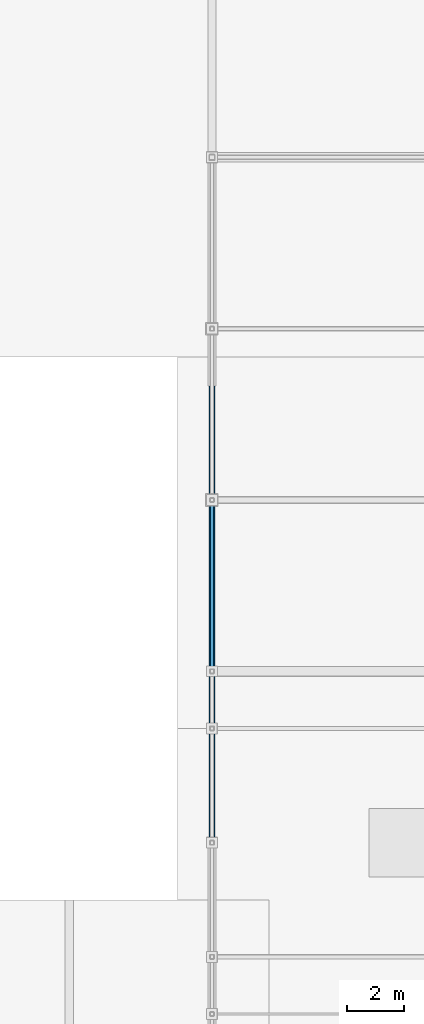
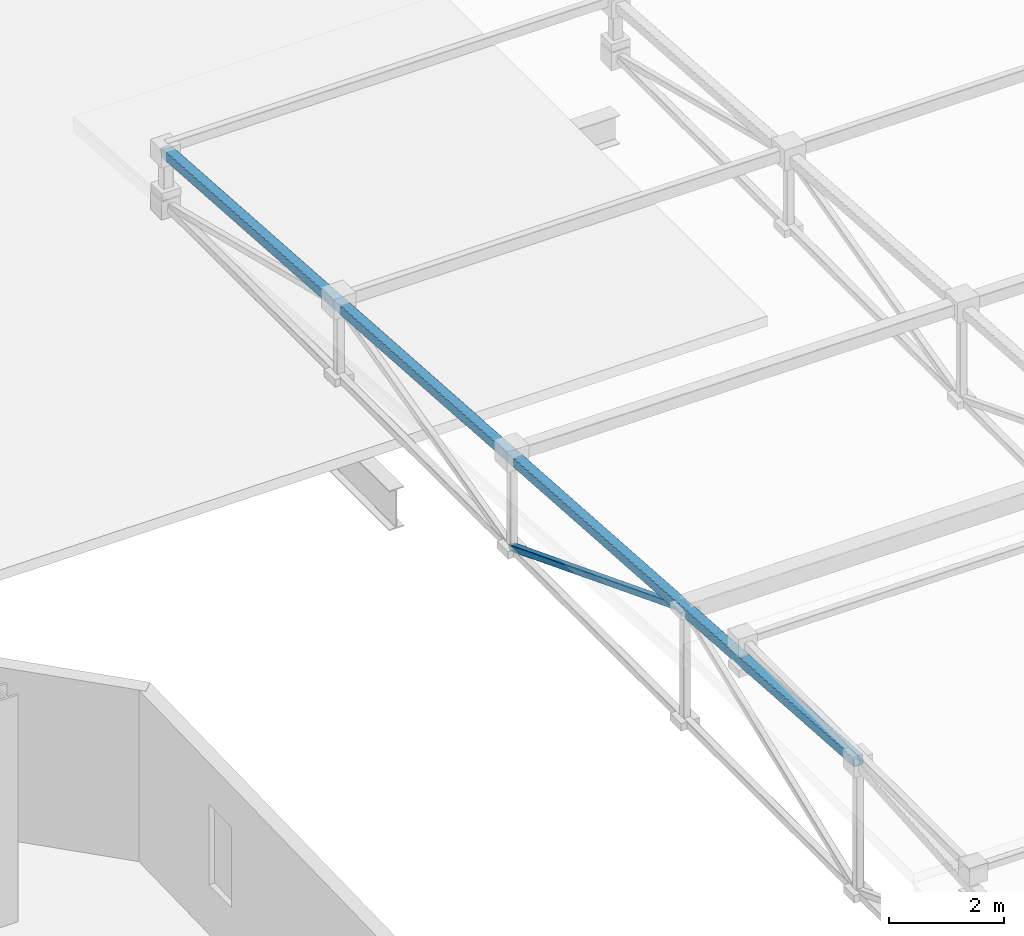
# One storey, part 35 of 85: 1 beam, 1 member.
"""IFC4 building model written with IfcOpenShell, lengths in metres."""

import ifcopenshell
import ifcopenshell.guid

model = None  # the IFC model being written
_history = None  # IfcOwnerHistory: only IFC2X3 demands one
_inside = {}  # id of a spatial element -> (the spatial element, [elements in it])
_under = {}  # id of a project, library or spatial element -> (it, [spatial elements below it])
_declared = {}  # id of a project -> (the project, [libraries it declares])
_typed = {}  # id of a type object -> (the type object, [elements of that type])
_made_of = {}  # id of a material, layer set ... -> (it, [elements and type objects made of it])


def new_model(schema):
    """Start an empty IFC model of exactly this schema.

    Asked for "IFC4X3", IfcOpenShell would pick the latest addendum, in which some entities
    have other attributes; the version numbers below select the first issue.
    IFC2X3 requires an IfcOwnerHistory on every rooted entity: one is made here for all.
    """
    global model, _history
    if schema == "IFC4X3":
        model = ifcopenshell.file(schema_version=(4, 3, 0, 0))
    else:
        model = ifcopenshell.file(schema=schema)
    _inside.clear()
    _under.clear()
    _declared.clear()
    _typed.clear()
    _made_of.clear()
    _history = None
    if model.schema == "IFC2X3":
        org = make("IfcOrganization", Name="unknown")
        user = make(
            "IfcPersonAndOrganization",
            ThePerson=make("IfcPerson", FamilyName="unknown"),
            TheOrganization=org,
        )
        app = make(
            "IfcApplication",
            ApplicationDeveloper=org,
            Version="unknown",
            ApplicationFullName="unknown",
            ApplicationIdentifier="unknown",
        )
        _history = make(
            "IfcOwnerHistory",
            OwningUser=user,
            OwningApplication=app,
            ChangeAction="ADDED",
            CreationDate=0,
        )
    return model


def make(cls, **values):
    """One entity of the class cls with the attributes given. An attribute that is None is left unset."""
    return model.create_entity(
        cls, **{name: value for name, value in values.items() if value is not None}
    )


def rooted(cls, **values):
    """An entity with a GlobalId (a new one), such as an element, a storey or a relation."""
    return make(cls, GlobalId=ifcopenshell.guid.new(), OwnerHistory=_history, **values)


def si_unit(unit_type, name, prefix=None):
    """IfcSIUnit, for example si_unit("LENGTHUNIT", "METRE", prefix="MILLI")."""
    return make("IfcSIUnit", UnitType=unit_type, Prefix=prefix, Name=name)


def assignment(units):
    """IfcUnitAssignment: the units of a project."""
    return None if units is None else make("IfcUnitAssignment", Units=units)


def point(xyz):
    """IfcCartesianPoint."""
    return None if xyz is None else make("IfcCartesianPoint", Coordinates=xyz)


def direction(xyz):
    """IfcDirection."""
    return None if xyz is None else make("IfcDirection", DirectionRatios=xyz)


def frame(location, z_axis=None, x_axis=None):
    """IfcAxis2Placement3D, a coordinate frame: its origin and axes. An axis left out is left unset."""
    return make(
        "IfcAxis2Placement3D",
        Location=point(location),
        Axis=direction(z_axis),
        RefDirection=direction(x_axis),
    )


def frame_2d(location, x_axis=None):
    """IfcAxis2Placement2D, a coordinate frame in the plane: its origin and x axis."""
    return make(
        "IfcAxis2Placement2D", Location=point(location), RefDirection=direction(x_axis)
    )


def origin():
    """The frame at (0, 0, 0) with its axes left unset."""
    return frame((0.0, 0.0, 0.0))


def origin_2d():
    """The frame at (0, 0) in the plane with its x axis left unset."""
    return frame_2d((0.0, 0.0))


def place(relative_to, where):
    """IfcLocalPlacement: puts the frame where relative to a parent placement (None: the world)."""
    return make(
        "IfcLocalPlacement", PlacementRelTo=relative_to, RelativePlacement=where
    )


def context(
    kind, dimensions, precision=None, world=None, true_north=None, identifier=None
):
    """IfcGeometricRepresentationContext, for example the 3D "Model" context."""
    return make(
        "IfcGeometricRepresentationContext",
        ContextIdentifier=identifier,
        ContextType=kind,
        CoordinateSpaceDimension=dimensions,
        Precision=precision,
        WorldCoordinateSystem=world,
        TrueNorth=true_north,
    )


def subcontext(parent, identifier, kind, view, scale=None):
    """IfcGeometricRepresentationSubContext, for example "Body" below "Model"."""
    return make(
        "IfcGeometricRepresentationSubContext",
        ContextIdentifier=identifier,
        ContextType=kind,
        ParentContext=parent,
        TargetScale=scale,
        TargetView=view,
    )


def project(units=None, contexts=None):
    """IfcProject with its units and contexts."""
    return rooted(
        "IfcProject",
        Name="project",
        RepresentationContexts=contexts,
        UnitsInContext=assignment(units),
    )


def spatial(cls, under=None, at=None, **own):
    """A site, building, storey or space (cls), placed at a placement, below another one or the project."""
    s = rooted(cls, ObjectPlacement=at, **own)
    if under is not None:
        _under.setdefault(under.id(), (under, []))[1].append(s)
    return s


def profile(cls, at=None, kind="AREA", **sizes):
    """A parametric profile (cls). Its sizes go by their IFC names, for example OverallWidth=200.0."""
    return make(cls, ProfileType=kind, Position=at, **sizes)


def hollow_rectangle(**sizes):
    """IfcRectangleHollowProfileDef."""
    return profile("IfcRectangleHollowProfileDef", **sizes)


def extrude(swept, where, along, depth):
    """IfcExtrudedAreaSolid: the profile swept, set in the frame where, extruded along a direction by depth."""
    return make(
        "IfcExtrudedAreaSolid",
        SweptArea=swept,
        Position=where,
        ExtrudedDirection=direction(along),
        Depth=depth,
    )


def shape(context_of_items, identifier, shape_type, items):
    """IfcShapeRepresentation: the items that make up one representation, for example the "Body"."""
    return make(
        "IfcShapeRepresentation",
        ContextOfItems=context_of_items,
        RepresentationIdentifier=identifier,
        RepresentationType=shape_type,
        Items=items,
    )


def material(Name=None, Category=None):
    """IfcMaterial."""
    return make("IfcMaterial", Name=Name, Category=Category)


def material_profile(
    of_material, cross_section, Name=None, Category=None, Priority=None
):
    """IfcMaterialProfile: a cross section and its material."""
    return make(
        "IfcMaterialProfile",
        Name=Name,
        Material=of_material,
        Profile=cross_section,
        Priority=Priority,
        Category=Category,
    )


def profile_set(profiles, Name=None, composite=None):
    """IfcMaterialProfileSet."""
    return make(
        "IfcMaterialProfileSet",
        Name=Name,
        MaterialProfiles=profiles,
        CompositeProfile=composite,
    )


def made_of(thing, what):
    """Note that an element or type object is made of a material, layer set ...; save() writes the relation."""
    if what is not None:
        _made_of.setdefault(what.id(), (what, []))[1].append(thing)
    return thing


def type_object(cls, material=None, **own):
    """A type object (cls), such as IfcWallType, which elements share."""
    return made_of(rooted(cls, **own), material)


def element(
    cls,
    number,
    at=None,
    inside=None,
    cuts=None,
    type_object=None,
    material=None,
    context=None,
    identifier="Body",
    shape_type=None,
    held_by="IfcProductDefinitionShape",
    body=None,
    shapes=None,
    **own,
):
    """One element of the class cls, such as IfcWall. Its Tag is "e" and its number.

    at: its placement. inside: the storey or other place that contains it. cuts: it is an
    opening in that element (IfcRelVoidsElement). A single representation is given by context,
    identifier, shape_type and body (its items); several are given by shapes. held_by: the class
    of the entity that holds the representations. save() writes the other relations.
    """
    e = rooted(cls, Tag="e%d" % number, ObjectPlacement=at, **own)
    if body is not None:
        shapes = [shape(context, identifier, shape_type, body)]
    if shapes is not None:
        e.Representation = make(held_by, Representations=shapes)
    if inside is not None:
        _inside.setdefault(inside.id(), (inside, []))[1].append(e)
    if cuts is not None:
        rooted(
            "IfcRelVoidsElement", RelatingBuildingElement=cuts, RelatedOpeningElement=e
        )
    if type_object is not None:
        _typed.setdefault(type_object.id(), (type_object, []))[1].append(e)
    return made_of(e, material)


def aggregate(whole, parts):
    """IfcRelAggregates: a whole, such as a stair, and the parts it consists of."""
    return rooted("IfcRelAggregates", RelatingObject=whole, RelatedObjects=parts)


def save(model, path):
    """Write the relations noted so far, then the file.

    IfcRelAggregates (storeys below a building ...), IfcRelContainedInSpatialStructure (elements
    in a storey), IfcRelDefinesByType, IfcRelAssociatesMaterial and IfcRelDeclares: one each for
    every whole, place, type object, material and project.
    """
    for whole, parts in _under.values():
        aggregate(whole, parts)
    for where, things in _inside.values():
        rooted(
            "IfcRelContainedInSpatialStructure",
            RelatedElements=things,
            RelatingStructure=where,
        )
    for kind, things in _typed.values():
        rooted("IfcRelDefinesByType", RelatedObjects=things, RelatingType=kind)
    for what, things in _made_of.values():
        rooted("IfcRelAssociatesMaterial", RelatedObjects=things, RelatingMaterial=what)
    for by, libraries in _declared.values():
        rooted("IfcRelDeclares", RelatingContext=by, RelatedDefinitions=libraries)
    model.write(path)


model = new_model("IFC4")

# Units and contexts
model_context = context("Model", 3, precision=1e-05, world=origin(), true_north=direction((0.0, 1.0)))
body_context = subcontext(model_context, "Body", "Model", "MODEL_VIEW")
ifc_project = project(units=[si_unit("LENGTHUNIT", "METRE"), si_unit("AREAUNIT", "SQUARE_METRE"), si_unit("VOLUMEUNIT", "CUBIC_METRE"), si_unit("PLANEANGLEUNIT", "RADIAN"), si_unit("MASSUNIT", "GRAM", prefix="KILO"), si_unit("THERMODYNAMICTEMPERATUREUNIT", "KELVIN"), si_unit("POWERUNIT", "WATT")], contexts=[model_context])

# Site, building, storey
site_placement = place(None, origin())
site = spatial("IfcSite", under=ifc_project, at=site_placement, CompositionType="ELEMENT")
building_placement = place(site_placement, origin())
building = spatial("IfcBuilding", under=site, at=building_placement, Name="Zelmaris Science Centre", CompositionType="ELEMENT")
storey_placement = place(building_placement, frame((0.0, 0.0, 20.39990234375)))
storey = spatial("IfcBuildingStorey", under=building, at=storey_placement, Name="L04", CompositionType="ELEMENT", Elevation=20.39990234375)

# Beam
ifc_material = material(Name="Steel ASTM A500 Grade C", Category="steel")
ifc_material_profile_1 = material_profile(ifc_material, hollow_rectangle(XDim=0.203125, YDim=0.203125, WallThickness=0.01171875, InnerFilletRadius=0.01171875, OuterFilletRadius=0.023681640625, at=origin_2d()), Name="HSS203X203X13")
ifc_profile_set_1 = profile_set([ifc_material_profile_1], Name="Steel ASTM A500 Grade C")
beam_type = type_object("IfcBeamType", Name="Beam G-20 HSS203X203X13", PredefinedType="BEAM", material=ifc_profile_set_1)
beam_placement = place(storey_placement, frame((108.0, 32.0, 3.697998046875), z_axis=(0.0, 0.997644646858, -0.068594158611), x_axis=(-1.0, 0.0, 0.0)))
element("IfcBeam", 1, at=beam_placement, inside=storey, type_object=beam_type, Name="RF-V4 Roof truss 1 north top chord", PredefinedType="BEAM", context=body_context, shape_type="SweptSolid", body=[
    extrude(hollow_rectangle(XDim=0.203125, YDim=0.203125, WallThickness=0.01171875, InnerFilletRadius=0.01171875, OuterFilletRadius=0.023681640625, at=origin_2d()), origin(), (0.0, 0.0, 1.0), 24.056640625),
])

# Member
ifc_material_profile_2 = material_profile(ifc_material, hollow_rectangle(XDim=0.126953125, YDim=0.126953125, WallThickness=0.00732421875, InnerFilletRadius=0.00732421875, OuterFilletRadius=0.014892578125, at=origin_2d()), Name="HSS127X127X8")
ifc_profile_set_2 = profile_set([ifc_material_profile_2], Name="Steel ASTM A500 Grade C")
member_type = type_object("IfcMemberType", Name="Structural Brace BR-04 HSS127X127X8", PredefinedType="BRACE", material=ifc_profile_set_2)
member_placement = place(storey_placement, frame((108.0, 38.0, 3.285400390625), z_axis=(0.0, 0.93179104927, -0.362995097075), x_axis=(-1.0, 0.0, 0.0)))
element("IfcMember", 2, at=member_placement, inside=storey, type_object=member_type, Name="RF-V4 Roof truss 1 web diagonal 6", PredefinedType="BRACE", context=body_context, shape_type="SweptSolid", body=[
    extrude(hollow_rectangle(XDim=0.126953125, YDim=0.126953125, WallThickness=0.00732421875, InnerFilletRadius=0.00732421875, OuterFilletRadius=0.014892578125, at=origin_2d()), origin(), (0.0, 0.0, 1.0), 6.439208984375),
])

save(model, "model.ifc")
